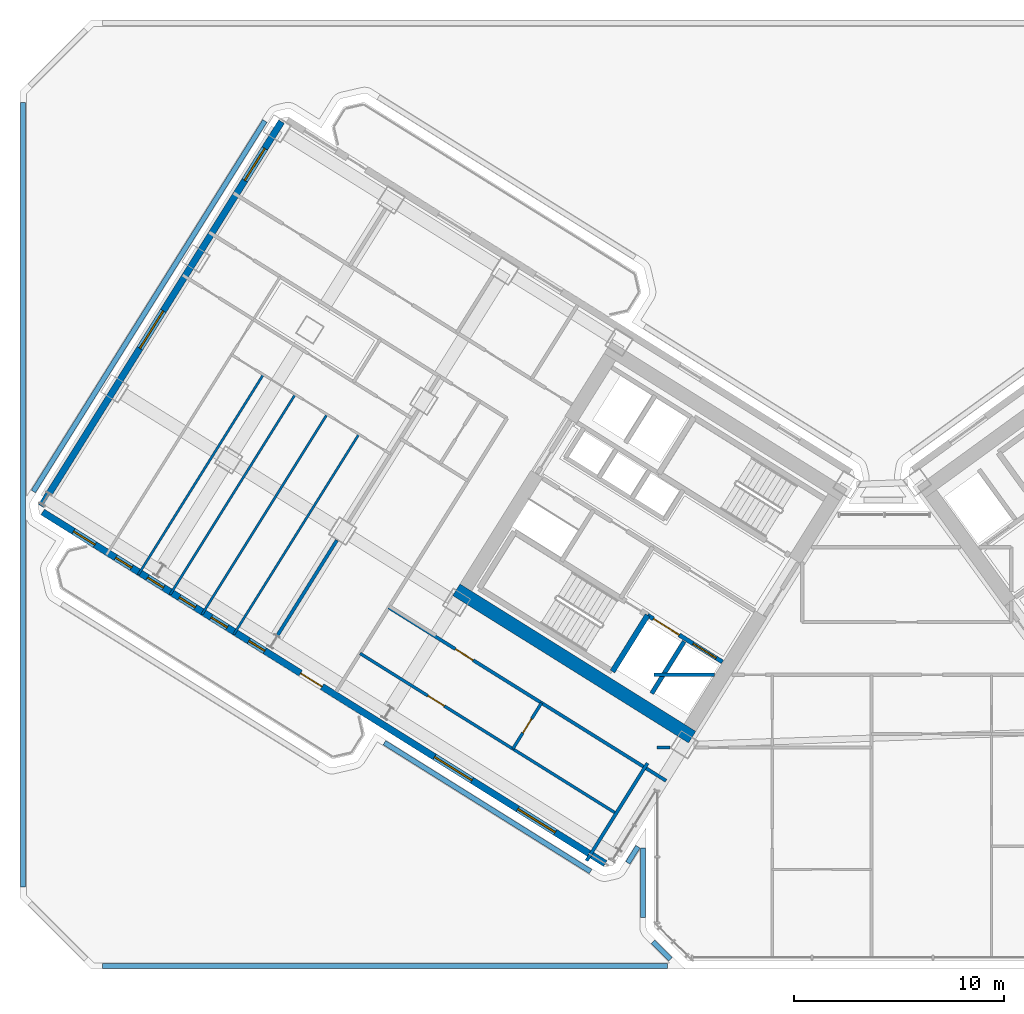
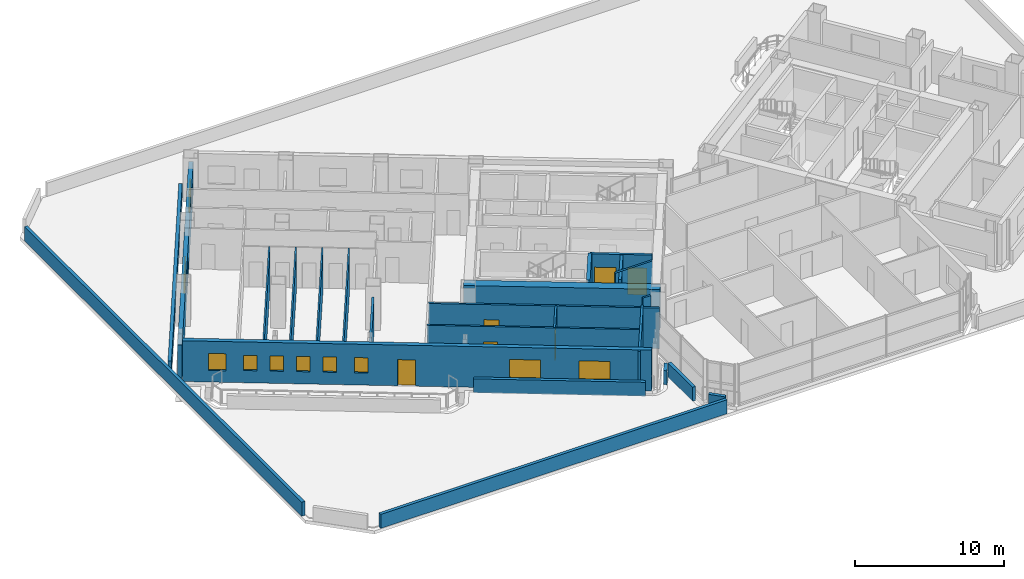
# One storey, part 15 of 28: 24 walls, 10 windows, 6 doors, 16 openings.
"""IFC4 building model written with IfcOpenShell, lengths in metres."""

import ifcopenshell
import ifcopenshell.guid

model = None  # the IFC model being written
_history = None  # IfcOwnerHistory: only IFC2X3 demands one
_inside = {}  # id of a spatial element -> (the spatial element, [elements in it])
_under = {}  # id of a project, library or spatial element -> (it, [spatial elements below it])
_declared = {}  # id of a project -> (the project, [libraries it declares])
_typed = {}  # id of a type object -> (the type object, [elements of that type])
_made_of = {}  # id of a material, layer set ... -> (it, [elements and type objects made of it])


def new_model(schema):
    """Start an empty IFC model of exactly this schema.

    Asked for "IFC4X3", IfcOpenShell would pick the latest addendum, in which some entities
    have other attributes; the version numbers below select the first issue.
    IFC2X3 requires an IfcOwnerHistory on every rooted entity: one is made here for all.
    """
    global model, _history
    if schema == "IFC4X3":
        model = ifcopenshell.file(schema_version=(4, 3, 0, 0))
    else:
        model = ifcopenshell.file(schema=schema)
    _inside.clear()
    _under.clear()
    _declared.clear()
    _typed.clear()
    _made_of.clear()
    _history = None
    if model.schema == "IFC2X3":
        org = make("IfcOrganization", Name="unknown")
        user = make(
            "IfcPersonAndOrganization",
            ThePerson=make("IfcPerson", FamilyName="unknown"),
            TheOrganization=org,
        )
        app = make(
            "IfcApplication",
            ApplicationDeveloper=org,
            Version="unknown",
            ApplicationFullName="unknown",
            ApplicationIdentifier="unknown",
        )
        _history = make(
            "IfcOwnerHistory",
            OwningUser=user,
            OwningApplication=app,
            ChangeAction="ADDED",
            CreationDate=0,
        )
    return model


def make(cls, **values):
    """One entity of the class cls with the attributes given. An attribute that is None is left unset."""
    return model.create_entity(
        cls, **{name: value for name, value in values.items() if value is not None}
    )


def rooted(cls, **values):
    """An entity with a GlobalId (a new one), such as an element, a storey or a relation."""
    return make(cls, GlobalId=ifcopenshell.guid.new(), OwnerHistory=_history, **values)


def si_unit(unit_type, name, prefix=None):
    """IfcSIUnit, for example si_unit("LENGTHUNIT", "METRE", prefix="MILLI")."""
    return make("IfcSIUnit", UnitType=unit_type, Prefix=prefix, Name=name)


def assignment(units):
    """IfcUnitAssignment: the units of a project."""
    return None if units is None else make("IfcUnitAssignment", Units=units)


def point(xyz):
    """IfcCartesianPoint."""
    return None if xyz is None else make("IfcCartesianPoint", Coordinates=xyz)


def direction(xyz):
    """IfcDirection."""
    return None if xyz is None else make("IfcDirection", DirectionRatios=xyz)


def frame(location, z_axis=None, x_axis=None):
    """IfcAxis2Placement3D, a coordinate frame: its origin and axes. An axis left out is left unset."""
    return make(
        "IfcAxis2Placement3D",
        Location=point(location),
        Axis=direction(z_axis),
        RefDirection=direction(x_axis),
    )


def frame_2d(location, x_axis=None):
    """IfcAxis2Placement2D, a coordinate frame in the plane: its origin and x axis."""
    return make(
        "IfcAxis2Placement2D", Location=point(location), RefDirection=direction(x_axis)
    )


def origin():
    """The frame at (0, 0, 0) with its axes left unset."""
    return frame((0.0, 0.0, 0.0))


def place(relative_to, where):
    """IfcLocalPlacement: puts the frame where relative to a parent placement (None: the world)."""
    return make(
        "IfcLocalPlacement", PlacementRelTo=relative_to, RelativePlacement=where
    )


def context(
    kind, dimensions, precision=None, world=None, true_north=None, identifier=None
):
    """IfcGeometricRepresentationContext, for example the 3D "Model" context."""
    return make(
        "IfcGeometricRepresentationContext",
        ContextIdentifier=identifier,
        ContextType=kind,
        CoordinateSpaceDimension=dimensions,
        Precision=precision,
        WorldCoordinateSystem=world,
        TrueNorth=true_north,
    )


def subcontext(parent, identifier, kind, view, scale=None):
    """IfcGeometricRepresentationSubContext, for example "Body" below "Model"."""
    return make(
        "IfcGeometricRepresentationSubContext",
        ContextIdentifier=identifier,
        ContextType=kind,
        ParentContext=parent,
        TargetScale=scale,
        TargetView=view,
    )


def project(units=None, contexts=None):
    """IfcProject with its units and contexts."""
    return rooted(
        "IfcProject",
        Name="project",
        RepresentationContexts=contexts,
        UnitsInContext=assignment(units),
    )


def spatial(cls, under=None, at=None, **own):
    """A site, building, storey or space (cls), placed at a placement, below another one or the project."""
    s = rooted(cls, ObjectPlacement=at, **own)
    if under is not None:
        _under.setdefault(under.id(), (under, []))[1].append(s)
    return s


def profile(cls, at=None, kind="AREA", **sizes):
    """A parametric profile (cls). Its sizes go by their IFC names, for example OverallWidth=200.0."""
    return make(cls, ProfileType=kind, Position=at, **sizes)


def rectangle(**sizes):
    """IfcRectangleProfileDef."""
    return profile("IfcRectangleProfileDef", **sizes)


def extrude(swept, where, along, depth):
    """IfcExtrudedAreaSolid: the profile swept, set in the frame where, extruded along a direction by depth."""
    return make(
        "IfcExtrudedAreaSolid",
        SweptArea=swept,
        Position=where,
        ExtrudedDirection=direction(along),
        Depth=depth,
    )


def shape(context_of_items, identifier, shape_type, items):
    """IfcShapeRepresentation: the items that make up one representation, for example the "Body"."""
    return make(
        "IfcShapeRepresentation",
        ContextOfItems=context_of_items,
        RepresentationIdentifier=identifier,
        RepresentationType=shape_type,
        Items=items,
    )


def source(mapping_origin, context_of_items, identifier, shape_type, items):
    """IfcRepresentationMap: a shape defined once, which mapped items show again and again."""
    return make(
        "IfcRepresentationMap",
        MappingOrigin=mapping_origin,
        MappedRepresentation=shape(context_of_items, identifier, shape_type, items),
    )


def transform(
    local_origin,
    x_axis=None,
    y_axis=None,
    z_axis=None,
    scale=None,
    scale2=None,
    scale3=None,
    uniform=True,
):
    """IfcCartesianTransformationOperator3D, or its non-uniform kind. x_axis, y_axis, z_axis: its Axis1, 2, 3."""
    if uniform:
        return make(
            "IfcCartesianTransformationOperator3D",
            Axis1=direction(x_axis),
            Axis2=direction(y_axis),
            LocalOrigin=point(local_origin),
            Scale=scale,
            Axis3=direction(z_axis),
        )
    return make(
        "IfcCartesianTransformationOperator3DnonUniform",
        Axis1=direction(x_axis),
        Axis2=direction(y_axis),
        LocalOrigin=point(local_origin),
        Scale=scale,
        Axis3=direction(z_axis),
        Scale2=scale2,
        Scale3=scale3,
    )


def mapped(mapping_source, mapping_target):
    """IfcMappedItem: shows the shape of a source again, moved by a transform."""
    return make(
        "IfcMappedItem", MappingSource=mapping_source, MappingTarget=mapping_target
    )


def material(Name=None, Category=None):
    """IfcMaterial."""
    return make("IfcMaterial", Name=Name, Category=Category)


def layer(
    of_material, thickness, ventilated=None, Name=None, Category=None, Priority=None
):
    """IfcMaterialLayer: one layer of a wall or slab, of a material (None: an air gap)."""
    return make(
        "IfcMaterialLayer",
        Material=of_material,
        LayerThickness=thickness,
        IsVentilated=ventilated,
        Name=Name,
        Category=Category,
        Priority=Priority,
    )


def layer_set(layers, Name=None):
    """IfcMaterialLayerSet."""
    return make("IfcMaterialLayerSet", MaterialLayers=layers, LayerSetName=Name)


def made_of(thing, what):
    """Note that an element or type object is made of a material, layer set ...; save() writes the relation."""
    if what is not None:
        _made_of.setdefault(what.id(), (what, []))[1].append(thing)
    return thing


def type_object(cls, material=None, **own):
    """A type object (cls), such as IfcWallType, which elements share."""
    return made_of(rooted(cls, **own), material)


def element(
    cls,
    number,
    at=None,
    inside=None,
    cuts=None,
    type_object=None,
    material=None,
    context=None,
    identifier="Body",
    shape_type=None,
    held_by="IfcProductDefinitionShape",
    body=None,
    shapes=None,
    **own,
):
    """One element of the class cls, such as IfcWall. Its Tag is "e" and its number.

    at: its placement. inside: the storey or other place that contains it. cuts: it is an
    opening in that element (IfcRelVoidsElement). A single representation is given by context,
    identifier, shape_type and body (its items); several are given by shapes. held_by: the class
    of the entity that holds the representations. save() writes the other relations.
    """
    e = rooted(cls, Tag="e%d" % number, ObjectPlacement=at, **own)
    if body is not None:
        shapes = [shape(context, identifier, shape_type, body)]
    if shapes is not None:
        e.Representation = make(held_by, Representations=shapes)
    if inside is not None:
        _inside.setdefault(inside.id(), (inside, []))[1].append(e)
    if cuts is not None:
        rooted(
            "IfcRelVoidsElement", RelatingBuildingElement=cuts, RelatedOpeningElement=e
        )
    if type_object is not None:
        _typed.setdefault(type_object.id(), (type_object, []))[1].append(e)
    return made_of(e, material)


def fill(opening, filler):
    """IfcRelFillsElement: the door or window that sits in an opening."""
    return rooted(
        "IfcRelFillsElement",
        RelatingOpeningElement=opening,
        RelatedBuildingElement=filler,
    )


def aggregate(whole, parts):
    """IfcRelAggregates: a whole, such as a stair, and the parts it consists of."""
    return rooted("IfcRelAggregates", RelatingObject=whole, RelatedObjects=parts)


def save(model, path):
    """Write the relations noted so far, then the file.

    IfcRelAggregates (storeys below a building ...), IfcRelContainedInSpatialStructure (elements
    in a storey), IfcRelDefinesByType, IfcRelAssociatesMaterial and IfcRelDeclares: one each for
    every whole, place, type object, material and project.
    """
    for whole, parts in _under.values():
        aggregate(whole, parts)
    for where, things in _inside.values():
        rooted(
            "IfcRelContainedInSpatialStructure",
            RelatedElements=things,
            RelatingStructure=where,
        )
    for kind, things in _typed.values():
        rooted("IfcRelDefinesByType", RelatedObjects=things, RelatingType=kind)
    for what, things in _made_of.values():
        rooted("IfcRelAssociatesMaterial", RelatedObjects=things, RelatingMaterial=what)
    for by, libraries in _declared.values():
        rooted("IfcRelDeclares", RelatingContext=by, RelatedDefinitions=libraries)
    model.write(path)


model = new_model("IFC4")

# Units and contexts
model_context = context("Model", 3, precision=1e-05, world=origin(), true_north=direction((0.0, 1.0)))
body_context = subcontext(model_context, "Body", "Model", "MODEL_VIEW")
ifc_project = project(units=[si_unit("LENGTHUNIT", "METRE"), si_unit("AREAUNIT", "SQUARE_METRE"), si_unit("VOLUMEUNIT", "CUBIC_METRE"), si_unit("PLANEANGLEUNIT", "RADIAN"), si_unit("MASSUNIT", "GRAM", prefix="KILO")], contexts=[model_context])

# Site, building, storey
site_placement = place(None, origin())
site = spatial("IfcSite", under=ifc_project, at=site_placement, CompositionType="ELEMENT")
building_placement = place(site_placement, origin())
building = spatial("IfcBuilding", under=site, at=building_placement, Name="Tlacorven Tower", CompositionType="ELEMENT")
storey_placement = place(building_placement, frame((0.0, 0.0, 24.0)))
storey = spatial("IfcBuildingStorey", under=building, at=storey_placement, Name="L05", CompositionType="ELEMENT", Elevation=24.0)

# Walls
ifc_material_1 = material(Name="Concrete C60/75", Category="concrete")
ifc_layer_1 = layer(ifc_material_1, 0.64990234375)
ifc_layer_set_1 = layer_set([ifc_layer_1], Name="Concrete C60/75")
wall_type_1 = type_object("IfcWallType", Name="WL-COR-650", PredefinedType="SHEAR", material=ifc_layer_set_1)
wall_1_placement = place(storey_placement, frame((33.40869140625, 12.449951171875, 0.0), z_axis=(0.0, 0.0, 1.0), x_axis=(-0.848051132073, 0.529914405721, 0.0)))
element("IfcWall", 1, at=wall_1_placement, inside=storey, type_object=wall_type_1, Name="L05 W core shear wall S2", PredefinedType="SHEAR", context=body_context, shape_type="SweptSolid", body=[
    extrude(rectangle(XDim=13.239990234375, YDim=0.64990234375, at=frame_2d((6.6201171875, 0.0))), origin(), (0.0, 0.0, 1.0), 3.35009765625),
])
ifc_material_2 = material(Name="Gypsum plasterboard acoustic partition", Category="gypsum")
ifc_layer_2 = layer(ifc_material_2, 0.159912109375)
ifc_layer_set_2 = layer_set([ifc_layer_2], Name="Gypsum plasterboard acoustic partition")
wall_type_2 = type_object("IfcWallType", Name="WL-DEM-160", PredefinedType="PARTITIONING", material=ifc_layer_set_2)
wall_2_placement = place(storey_placement, frame((16.4921875, 21.8271484375, 0.0), z_axis=(0.0, 0.0, 1.0), x_axis=(-0.529904608059, -0.848057254175, 0.0)))
element("IfcWall", 2, at=wall_2_placement, inside=storey, type_object=wall_type_2, Name="L05 WN Demising Wall 1", PredefinedType="PARTITIONING", context=body_context, shape_type="SweptSolid", body=[
    extrude(rectangle(XDim=5.350830078125, YDim=0.159912109375, at=frame_2d((2.67529296875, 0.0))), origin(), (0.0, 0.0, 1.0), 2.72509765625),
])

# Wall, opening, door
wall_3_placement = place(storey_placement, frame((32.164306640625, 10.373779296875, 0.0), z_axis=(0.0, 0.0, 1.0), x_axis=(-0.848044107957, 0.529925646633, 0.0)))
wall_3 = element("IfcWall", 3, at=wall_3_placement, inside=storey, type_object=wall_type_2, Name="L05 partition 69", PredefinedType="PARTITIONING", context=body_context, shape_type="SweptSolid", body=[
    extrude(rectangle(XDim=15.570068359375, YDim=0.159912109375, at=frame_2d((7.78515625, 0.0))), origin(), (0.0, 0.0, 1.0), 3.340087890625),
])
opening_1_placement = place(wall_3_placement, frame((10.830078125, 0.0, 0.0)))
opening_1 = element("IfcOpeningElement", 4, at=opening_1_placement, cuts=wall_3, Name="Opening D11", PredefinedType="OPENING", context=body_context, shape_type="SweptSolid", body=[
    extrude(rectangle(XDim=1.0, YDim=2.10009765625, at=frame_2d((0.5, 1.050048828125))), frame((0.0, 0.08984375, 0.0), z_axis=(0.0, -1.0, 0.0), x_axis=(1.0, 0.0, 0.0)), (0.0, 0.0, 1.0), 0.179931640625),
])
ifc_material_3 = material(Name="Fire-rated steel door assembly", Category="steel")
door_type_1 = type_object("IfcDoorType", Name="DR-FLT-FD60-1000", OperationType="NOTDEFINED", PredefinedType="DOOR", material=ifc_material_3)
shared_shape_1 = source(origin(), body_context, "Body", "SweptSolid", [
    extrude(rectangle(XDim=1.0, YDim=2.10009765625, at=frame_2d((0.5, 1.050048828125))), frame((0.0, 0.02490234375, 0.0), z_axis=(0.0, -1.0, 0.0), x_axis=(1.0, 0.0, 0.0)), (0.0, 0.0, 1.0), 0.050048828125),
])
door_1_placement = place(opening_1_placement, origin())
door_1 = element("IfcDoor", 5, at=door_1_placement, inside=storey, type_object=door_type_1, Name="L05 door 038", OperationType="SINGLE_SWING_LEFT", OverallHeight=2.10009765625, OverallWidth=1.0, PredefinedType="DOOR", context=body_context, shape_type="MappedRepresentation", body=[
    mapped(shared_shape_1, transform((0.0, 0.0, 0.0), scale=1.0)),
])
fill(opening_1, door_1)

# Walls
wall_4_placement = place(storey_placement, frame((31.282470703125, 11.2080078125, 0.0), z_axis=(0.0, 0.0, 1.0), x_axis=(-0.529938869374, -0.84803584519, 0.0)))
element("IfcWall", 6, at=wall_4_placement, inside=storey, type_object=wall_type_2, Name="L05 WC West Throat Wall", PredefinedType="PARTITIONING", context=body_context, shape_type="SweptSolid", body=[
    extrude(rectangle(XDim=5.47998046875, YDim=0.159912109375, at=frame_2d((2.739990234375, 0.0))), origin(), (0.0, 0.0, 1.0), 3.340087890625),
])
wall_5_placement = place(storey_placement, frame((31.60009765625, 15.419921875, 0.0), z_axis=(0.0, 0.0, 1.0), x_axis=(1.0, 0.0, 0.0)))
element("IfcWall", 7, at=wall_5_placement, inside=storey, type_object=wall_type_2, Name="L05 Knuckle Corridor South Wall", PredefinedType="PARTITIONING", context=body_context, shape_type="SweptSolid", body=[
    extrude(rectangle(XDim=2.8662109375, YDim=0.159912109375, at=frame_2d((1.43310546875, 0.0))), origin(), (0.0, 0.0, 1.0), 3.340087890625),
])

# Wall, openings, door, windows
ifc_material_4 = material(Name="Precast concrete C45/55", Category="concrete")
ifc_layer_3 = layer(ifc_material_4, 0.320068359375)
ifc_layer_set_3 = layer_set([ifc_layer_3], Name="Precast concrete C45/55")
wall_type_3 = type_object("IfcWallType", Name="WL-EXT-320", PredefinedType="STANDARD", material=ifc_layer_set_3)
wall_6_placement = place(storey_placement, frame((29.267822265625, 6.429443359375, 0.0), z_axis=(0.0, 0.0, 1.0), x_axis=(-0.848049971435, 0.529916263149, 0.0)))
wall_6 = element("IfcWall", 8, at=wall_6_placement, inside=storey, type_object=wall_type_3, Name="L05 Masonry-Frame Recessed Facade Wall 1", PredefinedType="STANDARD", context=body_context, shape_type="SweptSolid", body=[
    extrude(rectangle(XDim=31.587646484375, YDim=0.320068359375, at=frame_2d((15.7939453125, 0.0))), origin(), (0.0, 0.0, 1.0), 3.35009765625),
])
opening_2_placement = place(wall_6_placement, frame((15.901123046875, 0.0, 0.0)))
opening_2 = element("IfcOpeningElement", 9, at=opening_2_placement, cuts=wall_6, Name="Opening D05", PredefinedType="OPENING", context=body_context, shape_type="SweptSolid", body=[
    extrude(rectangle(XDim=1.199951171875, YDim=2.14990234375, at=frame_2d((0.60009765625, 1.074951171875))), frame((0.0, 0.169921875, 0.0), z_axis=(0.0, -1.0, 0.0), x_axis=(1.0, 0.0, 0.0)), (0.0, 0.0, 1.0), 0.340087890625),
])
opening_3_placement = place(wall_6_placement, frame((2.80615234375, 0.0, 0.800048828125)))
opening_3 = element("IfcOpeningElement", 10, at=opening_3_placement, cuts=wall_6, Name="Opening WN04", PredefinedType="OPENING", context=body_context, shape_type="SweptSolid", body=[
    extrude(rectangle(XDim=2.10009765625, YDim=1.550048828125, at=frame_2d((1.050048828125, 0.77490234375))), frame((0.0, 0.169921875, 0.0), z_axis=(0.0, -1.0, 0.0), x_axis=(1.0, 0.0, 0.0)), (0.0, 0.0, 1.0), 0.340087890625),
])
opening_4_placement = place(wall_6_placement, frame((7.481201171875, 0.0, 0.800048828125)))
opening_4 = element("IfcOpeningElement", 11, at=opening_4_placement, cuts=wall_6, Name="Opening WN04", PredefinedType="OPENING", context=body_context, shape_type="SweptSolid", body=[
    extrude(rectangle(XDim=2.10009765625, YDim=1.550048828125, at=frame_2d((1.050048828125, 0.77490234375))), frame((0.0, 0.169921875, 0.0), z_axis=(0.0, -1.0, 0.0), x_axis=(1.0, 0.0, 0.0)), (0.0, 0.0, 1.0), 0.340087890625),
])
opening_5_placement = place(wall_6_placement, frame((28.65380859375, 0.0, 0.949951171875)))
opening_5 = element("IfcOpeningElement", 12, at=opening_5_placement, cuts=wall_6, Name="Opening WN03", PredefinedType="OPENING", context=body_context, shape_type="SweptSolid", body=[
    extrude(rectangle(XDim=1.199951171875, YDim=1.39990234375, at=frame_2d((0.60009765625, 0.699951171875))), frame((0.0, 0.169921875, 0.0), z_axis=(0.0, -1.0, 0.0), x_axis=(1.0, 0.0, 0.0)), (0.0, 0.0, 1.0), 0.340087890625),
])
opening_6_placement = place(wall_6_placement, frame((19.110107421875, 0.0, 1.0)))
opening_6 = element("IfcOpeningElement", 13, at=opening_6_placement, cuts=wall_6, Name="Opening WN05", PredefinedType="OPENING", context=body_context, shape_type="SweptSolid", body=[
    extrude(rectangle(XDim=0.89990234375, YDim=1.25, at=frame_2d((0.449951171875, 0.625))), frame((0.0, 0.169921875, 0.0), z_axis=(0.0, -1.0, 0.0), x_axis=(1.0, 0.0, 0.0)), (0.0, 0.0, 1.0), 0.340087890625),
])
opening_7_placement = place(wall_6_placement, frame((21.2255859375, 0.0, 1.0)))
opening_7 = element("IfcOpeningElement", 14, at=opening_7_placement, cuts=wall_6, Name="Opening WN05", PredefinedType="OPENING", context=body_context, shape_type="SweptSolid", body=[
    extrude(rectangle(XDim=0.89990234375, YDim=1.25, at=frame_2d((0.449951171875, 0.625))), frame((0.0, 0.169921875, 0.0), z_axis=(0.0, -1.0, 0.0), x_axis=(1.0, 0.0, 0.0)), (0.0, 0.0, 1.0), 0.340087890625),
])
opening_8_placement = place(wall_6_placement, frame((23.013671875, 0.0, 1.0)))
opening_8 = element("IfcOpeningElement", 15, at=opening_8_placement, cuts=wall_6, Name="Opening WN05", PredefinedType="OPENING", context=body_context, shape_type="SweptSolid", body=[
    extrude(rectangle(XDim=0.89990234375, YDim=1.25, at=frame_2d((0.449951171875, 0.625))), frame((0.0, 0.169921875, 0.0), z_axis=(0.0, -1.0, 0.0), x_axis=(1.0, 0.0, 0.0)), (0.0, 0.0, 1.0), 0.340087890625),
])
opening_9_placement = place(wall_6_placement, frame((24.8017578125, 0.0, 1.0)))
opening_9 = element("IfcOpeningElement", 16, at=opening_9_placement, cuts=wall_6, Name="Opening WN05", PredefinedType="OPENING", context=body_context, shape_type="SweptSolid", body=[
    extrude(rectangle(XDim=0.89990234375, YDim=1.25, at=frame_2d((0.449951171875, 0.625))), frame((0.0, 0.169921875, 0.0), z_axis=(0.0, -1.0, 0.0), x_axis=(1.0, 0.0, 0.0)), (0.0, 0.0, 1.0), 0.340087890625),
])
opening_10_placement = place(wall_6_placement, frame((26.589599609375, 0.0, 1.0)))
opening_10 = element("IfcOpeningElement", 17, at=opening_10_placement, cuts=wall_6, Name="Opening WN05", PredefinedType="OPENING", context=body_context, shape_type="SweptSolid", body=[
    extrude(rectangle(XDim=0.89990234375, YDim=1.25, at=frame_2d((0.449951171875, 0.625))), frame((0.0, 0.169921875, 0.0), z_axis=(0.0, -1.0, 0.0), x_axis=(1.0, 0.0, 0.0)), (0.0, 0.0, 1.0), 0.340087890625),
])
ifc_material_5 = material(Name="Powder-coated aluminium and timber door", Category="wood")
door_type_2 = type_object("IfcDoorType", Name="DR-EXT-BALC-1200", OperationType="NOTDEFINED", PredefinedType="DOOR", material=ifc_material_5)
shared_shape_2 = source(origin(), body_context, "Body", "SweptSolid", [
    extrude(rectangle(XDim=1.199951171875, YDim=2.14990234375, at=frame_2d((0.60009765625, 1.074951171875))), frame((0.0, 0.02490234375, 0.0), z_axis=(0.0, -1.0, 0.0), x_axis=(1.0, 0.0, 0.0)), (0.0, 0.0, 1.0), 0.050048828125),
])
door_2_placement = place(opening_2_placement, origin())
door_2 = element("IfcDoor", 18, at=door_2_placement, inside=storey, type_object=door_type_2, Name="L05 Outdoor Access Door BAL-L05-W-OUT", OperationType="SINGLE_SWING_LEFT", OverallHeight=2.14990234375, OverallWidth=1.199951171875, PredefinedType="DOOR", context=body_context, shape_type="MappedRepresentation", body=[
    mapped(shared_shape_2, transform((0.0, 0.0, 0.0), scale=1.0)),
])
fill(opening_2, door_2)
ifc_material_6 = material(Name="Dark solar low-E double glazing in anodised aluminium frame", Category="aluminium")
window_type_1 = type_object("IfcWindowType", Name="WN-APT-2100X1750", PartitioningType="SINGLE_PANEL", PredefinedType="WINDOW", material=ifc_material_6)
shared_shape_3 = source(origin(), body_context, "Body", "SweptSolid", [
    extrude(rectangle(XDim=2.10009765625, YDim=1.550048828125, at=frame_2d((1.050048828125, 0.77490234375))), frame((0.0, 0.030029296875, 0.0), z_axis=(0.0, -1.0, 0.0), x_axis=(1.0, 0.0, 0.0)), (0.0, 0.0, 1.0), 0.06005859375),
])
window_1_placement = place(opening_3_placement, origin())
window_1 = element("IfcWindow", 19, at=window_1_placement, inside=storey, type_object=window_type_1, Name="L05 Recessed Masonry-Frame Window L05-01.1", OverallHeight=1.550048828125, OverallWidth=2.10009765625, PartitioningType="SINGLE_PANEL", PredefinedType="WINDOW", context=body_context, shape_type="MappedRepresentation", body=[
    mapped(shared_shape_3, transform((0.0, 0.0, 0.0), scale=1.0)),
])
fill(opening_3, window_1)
window_2_placement = place(opening_4_placement, origin())
window_2 = element("IfcWindow", 20, at=window_2_placement, inside=storey, type_object=window_type_1, Name="L05 Recessed Masonry-Frame Window L05-01.2", OverallHeight=1.550048828125, OverallWidth=2.10009765625, PartitioningType="SINGLE_PANEL", PredefinedType="WINDOW", context=body_context, shape_type="MappedRepresentation", body=[
    mapped(shared_shape_3, transform((0.0, 0.0, 0.0), scale=1.0)),
])
fill(opening_4, window_2)
window_type_2 = type_object("IfcWindowType", Name="WN-APT-1200X1500", PartitioningType="SINGLE_PANEL", PredefinedType="WINDOW", material=ifc_material_6)
shared_shape_4 = source(origin(), body_context, "Body", "SweptSolid", [
    extrude(rectangle(XDim=1.199951171875, YDim=1.39990234375, at=frame_2d((0.60009765625, 0.699951171875))), frame((0.0, 0.030029296875, 0.0), z_axis=(0.0, -1.0, 0.0), x_axis=(1.0, 0.0, 0.0)), (0.0, 0.0, 1.0), 0.06005859375),
])
window_3_placement = place(opening_5_placement, origin())
window_3 = element("IfcWindow", 21, at=window_3_placement, inside=storey, type_object=window_type_2, Name="L05 Recessed Masonry-Frame Window L05-01.3", OverallHeight=1.39990234375, OverallWidth=1.199951171875, PartitioningType="SINGLE_PANEL", PredefinedType="WINDOW", context=body_context, shape_type="MappedRepresentation", body=[
    mapped(shared_shape_4, transform((0.0, 0.0, 0.0), scale=1.0)),
])
fill(opening_5, window_3)
window_type_3 = type_object("IfcWindowType", Name="WN-APT-0900X1350", PartitioningType="SINGLE_PANEL", PredefinedType="WINDOW", material=ifc_material_6)
shared_shape_5 = source(origin(), body_context, "Body", "SweptSolid", [
    extrude(rectangle(XDim=0.89990234375, YDim=1.25, at=frame_2d((0.449951171875, 0.625))), frame((0.0, 0.030029296875, 0.0), z_axis=(0.0, -1.0, 0.0), x_axis=(1.0, 0.0, 0.0)), (0.0, 0.0, 1.0), 0.06005859375),
])
window_4_placement = place(opening_6_placement, origin())
window_4 = element("IfcWindow", 22, at=window_4_placement, inside=storey, type_object=window_type_3, Name="L05 Dwelling Daylight Window L05-U02-BD1", OverallHeight=1.25, OverallWidth=0.89990234375, PartitioningType="SINGLE_PANEL", PredefinedType="WINDOW", context=body_context, shape_type="MappedRepresentation", body=[
    mapped(shared_shape_5, transform((0.0, 0.0, 0.0), scale=1.0)),
])
fill(opening_6, window_4)
window_5_placement = place(opening_7_placement, origin())
window_5 = element("IfcWindow", 23, at=window_5_placement, inside=storey, type_object=window_type_3, Name="L05 Dwelling Daylight Window L05-U02-BD2", OverallHeight=1.25, OverallWidth=0.89990234375, PartitioningType="SINGLE_PANEL", PredefinedType="WINDOW", context=body_context, shape_type="MappedRepresentation", body=[
    mapped(shared_shape_5, transform((0.0, 0.0, 0.0), scale=1.0)),
])
fill(opening_7, window_5)
window_6_placement = place(opening_8_placement, origin())
window_6 = element("IfcWindow", 24, at=window_6_placement, inside=storey, type_object=window_type_3, Name="L05 Dwelling Daylight Window L05-U02-BD3", OverallHeight=1.25, OverallWidth=0.89990234375, PartitioningType="SINGLE_PANEL", PredefinedType="WINDOW", context=body_context, shape_type="MappedRepresentation", body=[
    mapped(shared_shape_5, transform((0.0, 0.0, 0.0), scale=1.0)),
])
fill(opening_8, window_6)
window_7_placement = place(opening_9_placement, origin())
window_7 = element("IfcWindow", 25, at=window_7_placement, inside=storey, type_object=window_type_3, Name="L05 Dwelling Daylight Window L05-U02-BD4", OverallHeight=1.25, OverallWidth=0.89990234375, PartitioningType="SINGLE_PANEL", PredefinedType="WINDOW", context=body_context, shape_type="MappedRepresentation", body=[
    mapped(shared_shape_5, transform((0.0, 0.0, 0.0), scale=1.0)),
])
fill(opening_9, window_7)
window_8_placement = place(opening_10_placement, origin())
window_8 = element("IfcWindow", 26, at=window_8_placement, inside=storey, type_object=window_type_3, Name="L05 Dwelling Daylight Window L05-U02-BD5", OverallHeight=1.25, OverallWidth=0.89990234375, PartitioningType="SINGLE_PANEL", PredefinedType="WINDOW", context=body_context, shape_type="MappedRepresentation", body=[
    mapped(shared_shape_5, transform((0.0, 0.0, 0.0), scale=1.0)),
])
fill(opening_10, window_8)

# Wall, openings, windows
wall_7_placement = place(storey_placement, frame((2.41455078125, 23.452392578125, 0.0), z_axis=(0.0, 0.0, 1.0), x_axis=(0.52991049553, 0.848053575387, 0.0)))
wall_7 = element("IfcWall", 27, at=wall_7_placement, inside=storey, type_object=wall_type_3, Name="L05 Masonry-Frame Recessed Facade Wall 2", PredefinedType="STANDARD", context=body_context, shape_type="SweptSolid", body=[
    extrude(rectangle(XDim=21.58740234375, YDim=0.320068359375, at=frame_2d((10.793701171875, 0.0))), origin(), (0.0, 0.0, 1.0), 2.72509765625),
])
opening_11_placement = place(wall_7_placement, frame((8.858642578125, 0.0, 0.800048828125)))
opening_11 = element("IfcOpeningElement", 28, at=opening_11_placement, cuts=wall_7, Name="Opening WN04", PredefinedType="OPENING", context=body_context, shape_type="SweptSolid", body=[
    extrude(rectangle(XDim=2.10009765625, YDim=1.550048828125, at=frame_2d((1.050048828125, 0.77490234375))), frame((0.0, 0.169921875, 0.0), z_axis=(0.0, -1.0, 0.0), x_axis=(1.0, 0.0, 0.0)), (0.0, 0.0, 1.0), 0.340087890625),
])
opening_12_placement = place(wall_7_placement, frame((18.28369140625, 0.0, 0.85009765625)))
opening_12 = element("IfcOpeningElement", 29, at=opening_12_placement, cuts=wall_7, Name="Opening WN01", PredefinedType="OPENING", context=body_context, shape_type="SweptSolid", body=[
    extrude(rectangle(XDim=1.800048828125, YDim=1.5, at=frame_2d((0.89990234375, 0.75))), frame((0.0, 0.169921875, 0.0), z_axis=(0.0, -1.0, 0.0), x_axis=(1.0, 0.0, 0.0)), (0.0, 0.0, 1.0), 0.340087890625),
])
window_9_placement = place(opening_11_placement, origin())
window_9 = element("IfcWindow", 30, at=window_9_placement, inside=storey, type_object=window_type_1, Name="L05 Recessed Masonry-Frame Window L05-02.1", OverallHeight=1.550048828125, OverallWidth=2.10009765625, PartitioningType="SINGLE_PANEL", PredefinedType="WINDOW", context=body_context, shape_type="MappedRepresentation", body=[
    mapped(shared_shape_3, transform((0.0, 0.0, 0.0), scale=1.0)),
])
fill(opening_11, window_9)
window_type_4 = type_object("IfcWindowType", Name="WN-APT-1800X1650", PartitioningType="SINGLE_PANEL", PredefinedType="WINDOW", material=ifc_material_6)
shared_shape_6 = source(origin(), body_context, "Body", "SweptSolid", [
    extrude(rectangle(XDim=1.800048828125, YDim=1.5, at=frame_2d((0.89990234375, 0.75))), frame((0.0, 0.030029296875, 0.0), z_axis=(0.0, -1.0, 0.0), x_axis=(1.0, 0.0, 0.0)), (0.0, 0.0, 1.0), 0.06005859375),
])
window_10_placement = place(opening_12_placement, origin())
window_10 = element("IfcWindow", 31, at=window_10_placement, inside=storey, type_object=window_type_4, Name="L05 Recessed Masonry-Frame Window L05-02.2", OverallHeight=1.5, OverallWidth=1.800048828125, PartitioningType="SINGLE_PANEL", PredefinedType="WINDOW", context=body_context, shape_type="MappedRepresentation", body=[
    mapped(shared_shape_6, transform((0.0, 0.0, 0.0), scale=1.0)),
])
fill(opening_12, window_10)

# Walls
ifc_material_7 = material(Name="Gypsum plasterboard partition", Category="gypsum")
ifc_layer_4 = layer(ifc_material_7, 0.110107421875)
ifc_layer_set_4 = layer_set([ifc_layer_4], Name="Gypsum plasterboard partition")
wall_type_4 = type_object("IfcWallType", Name="WL-INT-110", PredefinedType="PARTITIONING", material=ifc_layer_set_4)
for number, where, z_axis, x_axis, name in (
    (32, (17.53662109375, 26.872314453125, 0.0), (0.0, 0.0, 1.0), (-0.529922792977, -0.848045891142, 0.0), "L05 partition 63"),
    (33, (16.020263671875, 27.81982421875, 0.0), (0.0, 0.0, 1.0), (-0.529922792977, -0.848045891142, 0.0), "L05 partition 64"),
    (34, (14.50390625, 28.767333984375, 0.0), (0.0, 0.0, 1.0), (-0.529922792977, -0.848045891142, 0.0), "L05 partition 65"),
    (35, (12.987548828125, 29.71484375, 0.0), (0.0, 0.0, 1.0), (-0.529922792977, -0.848045891142, 0.0), "L05 partition 66"),
):
    element("IfcWall", number, at=place(storey_placement, frame(where, z_axis=z_axis, x_axis=x_axis)), inside=storey, type_object=wall_type_4, Name=name, PredefinedType="PARTITIONING", context=body_context, shape_type="SweptSolid", body=[
        extrude(rectangle(XDim=11.239990234375, YDim=0.110107421875, at=frame_2d((5.6201171875, 0.0))), origin(), (0.0, 0.0, 1.0), 3.340087890625),
    ])
ifc_layer_5 = layer(ifc_material_4, 0.239990234375)
ifc_layer_set_5 = layer_set([ifc_layer_5], Name="Precast concrete C45/55")
wall_type_5 = type_object("IfcWallType", Name="WL-PAR-240", PredefinedType="PARAPET", material=ifc_layer_set_5)
wall_8_placement = place(storey_placement, frame((32.240478515625, 1.550048828125, 0.0), z_axis=(0.0, 0.0, 1.0), x_axis=(-1.0, 0.0, 0.0)))
element("IfcWall", 36, at=wall_8_placement, inside=storey, type_object=wall_type_5, Name="L05 Podium Setback Parapet 1 1", PredefinedType="PARAPET", context=body_context, shape_type="SweptSolid", body=[
    extrude(rectangle(XDim=26.91845703125, YDim=0.239990234375, at=frame_2d((13.459228515625, 0.0))), origin(), (0.0, 0.0, 1.0), 1.14990234375),
])
wall_9_placement = place(storey_placement, frame((1.550048828125, 5.322021484375, 0.0), z_axis=(0.0, 0.0, 1.0), x_axis=(0.0, 1.0, 0.0)))
element("IfcWall", 37, at=wall_9_placement, inside=storey, type_object=wall_type_5, Name="L05 Podium Setback Parapet 1 3", PredefinedType="PARAPET", context=body_context, shape_type="SweptSolid", body=[
    extrude(rectangle(XDim=37.35595703125, YDim=0.239990234375, at=frame_2d((18.677978515625, 0.0))), origin(), (0.0, 0.0, 1.0), 1.14990234375),
])
wall_10_placement = place(storey_placement, frame((13.062255859375, 41.794677734375, 0.0), z_axis=(0.0, 0.0, 1.0), x_axis=(-0.529921946396, -0.848046420149, 0.0)))
element("IfcWall", 38, at=wall_10_placement, inside=storey, type_object=wall_type_5, Name="L05 Podium Setback Parapet 1 14", PredefinedType="PARAPET", context=body_context, shape_type="SweptSolid", body=[
    extrude(rectangle(XDim=20.8076171875, YDim=0.239990234375, at=frame_2d((10.40380859375, 0.0))), origin(), (0.0, 0.0, 1.0), 1.14990234375),
])
wall_11_placement = place(storey_placement, frame((18.75634765625, 12.18408203125, 0.0), z_axis=(0.0, 0.0, 1.0), x_axis=(0.848048074215, -0.529919299347, 0.0)))
element("IfcWall", 39, at=wall_11_placement, inside=storey, type_object=wall_type_5, Name="L05 Podium Setback Parapet 1 16", PredefinedType="PARAPET", context=body_context, shape_type="SweptSolid", body=[
    extrude(rectangle(XDim=11.573486328125, YDim=0.239990234375, at=frame_2d((5.78662109375, 0.0))), origin(), (0.0, 0.0, 1.0), 1.14990234375),
])
wall_12_placement = place(storey_placement, frame((30.34375, 6.460205078125, 0.0), z_axis=(0.0, 0.0, 1.0), x_axis=(0.529950724551, 0.848028436757, 0.0)))
element("IfcWall", 40, at=wall_12_placement, inside=storey, type_object=wall_type_5, Name="L05 Podium Setback Parapet 1 17", PredefinedType="PARAPET", context=body_context, shape_type="SweptSolid", body=[
    extrude(rectangle(XDim=0.910400390625, YDim=0.239990234375, at=frame_2d((0.455078125, 0.0))), origin(), (0.0, 0.0, 1.0), 1.14990234375),
])
wall_13_placement = place(storey_placement, frame((31.070068359375, 7.162353515625, 0.0), z_axis=(0.0, 0.0, 1.0), x_axis=(0.0, -1.0, 0.0)))
element("IfcWall", 41, at=wall_13_placement, inside=storey, type_object=wall_type_5, Name="L05 Podium Setback Parapet 1 18", PredefinedType="PARAPET", context=body_context, shape_type="SweptSolid", body=[
    extrude(rectangle(XDim=3.30615234375, YDim=0.239990234375, at=frame_2d((1.653076171875, 0.0))), origin(), (0.0, 0.0, 1.0), 1.14990234375),
])
wall_14_placement = place(storey_placement, frame((31.5478515625, 2.70263671875, 0.0), z_axis=(0.0, 0.0, 1.0), x_axis=(0.707106781187, -0.707106781187, 0.0)))
element("IfcWall", 42, at=wall_14_placement, inside=storey, type_object=wall_type_5, Name="L05 Podium Setback Parapet 1 19", PredefinedType="PARAPET", context=body_context, shape_type="SweptSolid", body=[
    extrude(rectangle(XDim=1.170166015625, YDim=0.239990234375, at=frame_2d((0.5849609375, 0.0))), origin(), (0.0, 0.0, 1.0), 1.14990234375),
])

# Wall, opening, door
ifc_material_8 = material(Name="Moisture-resistant gypsum plumbing wall", Category="gypsum")
ifc_layer_6 = layer(ifc_material_8, 0.139892578125)
ifc_layer_set_6 = layer_set([ifc_layer_6], Name="Moisture-resistant gypsum plumbing wall")
wall_type_6 = type_object("IfcWallType", Name="WL-PLM-140", PredefinedType="PLUMBINGWALL", material=ifc_layer_set_6)
wall_15_placement = place(storey_placement, frame((29.72021484375, 8.85888671875, 0.0), z_axis=(0.0, 0.0, 1.0), x_axis=(-0.848049134363, 0.529917602752, 0.0)))
wall_15 = element("IfcWall", 43, at=wall_15_placement, inside=storey, type_object=wall_type_6, Name="L05 partition 71", PredefinedType="PLUMBINGWALL", context=body_context, shape_type="SweptSolid", body=[
    extrude(rectangle(XDim=14.300048828125, YDim=0.139892578125, at=frame_2d((7.14990234375, 0.0))), origin(), (0.0, 0.0, 1.0), 3.340087890625),
])
opening_13_placement = place(wall_15_placement, frame((9.570068359375, 0.0, 0.0)))
opening_13 = element("IfcOpeningElement", 44, at=opening_13_placement, cuts=wall_15, Name="Opening D12", PredefinedType="OPENING", context=body_context, shape_type="SweptSolid", body=[
    extrude(rectangle(XDim=0.919921875, YDim=2.080078125, at=frame_2d((0.4599609375, 1.0400390625))), frame((0.0, 0.080078125, 0.0), z_axis=(0.0, -1.0, 0.0), x_axis=(1.0, 0.0, 0.0)), (0.0, 0.0, 1.0), 0.159912109375),
])
door_type_3 = type_object("IfcDoorType", Name="DR-INT-ROOM-0920", OperationType="NOTDEFINED", PredefinedType="DOOR", material=ifc_material_5)
shared_shape_7 = source(origin(), body_context, "Body", "SweptSolid", [
    extrude(rectangle(XDim=0.919921875, YDim=2.080078125, at=frame_2d((0.4599609375, 1.0400390625))), frame((0.0, 0.02490234375, 0.0), z_axis=(0.0, -1.0, 0.0), x_axis=(1.0, 0.0, 0.0)), (0.0, 0.0, 1.0), 0.050048828125),
])
door_3_placement = place(opening_13_placement, origin())
door_3 = element("IfcDoor", 45, at=door_3_placement, inside=storey, type_object=door_type_3, Name="L05 door 039", OperationType="SINGLE_SWING_RIGHT", OverallHeight=2.080078125, OverallWidth=0.919921875, PredefinedType="DOOR", context=body_context, shape_type="MappedRepresentation", body=[
    mapped(shared_shape_7, transform((0.0, 0.0, 0.0), scale=1.0)),
])
fill(opening_13, door_3)

wall_16_placement = place(storey_placement, frame((26.236572265625, 14.077880859375, 0.0), z_axis=(0.0, 0.0, 1.0), x_axis=(-0.52995640672, -0.848024885824, 0.0)))
wall_16 = element("IfcWall", 46, at=wall_16_placement, inside=storey, type_object=wall_type_6, Name="L05 partition 72", PredefinedType="PLUMBINGWALL", context=body_context, shape_type="SweptSolid", body=[
    extrude(rectangle(XDim=2.579833984375, YDim=0.139892578125, at=frame_2d((1.2900390625, 0.0))), origin(), (0.0, 0.0, 1.0), 3.340087890625),
])
opening_14_placement = place(wall_16_placement, frame((0.89990234375, 0.0, 0.0)))
opening_14 = element("IfcOpeningElement", 47, at=opening_14_placement, cuts=wall_16, Name="Opening D22", PredefinedType="OPENING", context=body_context, shape_type="SweptSolid", body=[
    extrude(rectangle(XDim=0.780029296875, YDim=2.050048828125, at=frame_2d((0.39013671875, 1.02490234375))), frame((0.0, 0.080078125, 0.0), z_axis=(0.0, -1.0, 0.0), x_axis=(1.0, 0.0, 0.0)), (0.0, 0.0, 1.0), 0.159912109375),
])
door_type_4 = type_object("IfcDoorType", Name="DR-INT-WET-0780", OperationType="NOTDEFINED", PredefinedType="DOOR", material=ifc_material_5)
shared_shape_8 = source(origin(), body_context, "Body", "SweptSolid", [
    extrude(rectangle(XDim=0.780029296875, YDim=2.050048828125, at=frame_2d((0.39013671875, 1.02490234375))), frame((0.0, 0.02490234375, 0.0), z_axis=(0.0, -1.0, 0.0), x_axis=(1.0, 0.0, 0.0)), (0.0, 0.0, 1.0), 0.050048828125),
])
door_4_placement = place(opening_14_placement, origin())
door_4 = element("IfcDoor", 48, at=door_4_placement, inside=storey, type_object=door_type_4, Name="L05 door 040", OperationType="SINGLE_SWING_LEFT", OverallHeight=2.050048828125, OverallWidth=0.780029296875, PredefinedType="DOOR", context=body_context, shape_type="MappedRepresentation", body=[
    mapped(shared_shape_8, transform((0.0, 0.0, 0.0), scale=1.0)),
])
fill(opening_14, door_4)

# Wall
wall_17_placement = place(storey_placement, frame((31.739990234375, 11.949951171875, 0.0), z_axis=(0.0, 0.0, 1.0), x_axis=(1.0, 0.0, 0.0)))
element("IfcWall", 49, at=wall_17_placement, inside=storey, type_object=wall_type_6, Name="L05 partition 82", PredefinedType="PLUMBINGWALL", context=body_context, shape_type="SweptSolid", body=[
    extrude(rectangle(XDim=0.616943359375, YDim=0.139892578125, at=frame_2d((0.30859375, 0.0))), origin(), (0.0, 0.0, 1.0), 3.340087890625),
])

# Wall, openings, doors
ifc_material_9 = material(Name="Concrete C40/50", Category="concrete")
ifc_layer_7 = layer(ifc_material_9, 0.199951171875)
ifc_layer_set_7 = layer_set([ifc_layer_7], Name="Concrete C40/50")
wall_type_7 = type_object("IfcWallType", Name="WL-SHF-200", PredefinedType="STANDARD", material=ifc_layer_set_7)
wall_18_placement = place(storey_placement, frame((34.84814453125, 16.03125, 0.0), z_axis=(0.0, 0.0, 1.0), x_axis=(-0.848044042236, 0.529925751807, 0.0)))
wall_18 = element("IfcWall", 50, at=wall_18_placement, inside=storey, type_object=wall_type_7, Name="L05 Core W Firefighting Lift Shaft Front Wall", PredefinedType="STANDARD", context=body_context, shape_type="SweptSolid", body=[
    extrude(rectangle(XDim=4.197998046875, YDim=0.199951171875, at=frame_2d((2.09912109375, 0.0))), origin(), (0.0, 0.0, 1.0), 3.340087890625),
])
opening_15_placement = place(wall_18_placement, frame((0.347900390625, 0.0, 0.0)))
opening_15 = element("IfcOpeningElement", 51, at=opening_15_placement, cuts=wall_18, Name="Opening LD03", PredefinedType="OPENING", context=body_context, shape_type="SweptSolid", body=[
    extrude(rectangle(XDim=1.300048828125, YDim=2.199951171875, at=frame_2d((0.64990234375, 1.10009765625))), frame((0.0, 0.10986328125, 0.0), z_axis=(0.0, -1.0, 0.0), x_axis=(1.0, 0.0, 0.0)), (0.0, 0.0, 1.0), 0.219970703125),
])
opening_16_placement = place(wall_18_placement, frame((2.423095703125, 0.0, 0.0)))
opening_16 = element("IfcOpeningElement", 52, at=opening_16_placement, cuts=wall_18, Name="Opening LD04", PredefinedType="OPENING", context=body_context, shape_type="SweptSolid", body=[
    extrude(rectangle(XDim=1.449951171875, YDim=2.25, at=frame_2d((0.72509765625, 1.125))), frame((0.0, 0.10986328125, 0.0), z_axis=(0.0, -1.0, 0.0), x_axis=(1.0, 0.0, 0.0)), (0.0, 0.0, 1.0), 0.219970703125),
])
door_type_5 = type_object("IfcDoorType", Name="DR-LFT-SLID-1300", OperationType="DOUBLE_DOOR_SLIDING", PredefinedType="DOOR", material=ifc_material_3)
shared_shape_9 = source(origin(), body_context, "Body", "SweptSolid", [
    extrude(rectangle(XDim=1.300048828125, YDim=2.199951171875, at=frame_2d((0.64990234375, 1.10009765625))), frame((0.0, 0.02490234375, 0.0), z_axis=(0.0, -1.0, 0.0), x_axis=(1.0, 0.0, 0.0)), (0.0, 0.0, 1.0), 0.050048828125),
])
door_5_placement = place(opening_15_placement, origin())
door_5 = element("IfcDoor", 53, at=door_5_placement, inside=storey, type_object=door_type_5, Name="L05 Lift FFL-W1 Sliding Landing Door", OperationType="DOUBLE_DOOR_SLIDING", OverallHeight=2.199951171875, OverallWidth=1.300048828125, PredefinedType="DOOR", context=body_context, shape_type="MappedRepresentation", body=[
    mapped(shared_shape_9, transform((0.0, 0.0, 0.0), scale=1.0)),
])
fill(opening_15, door_5)
door_type_6 = type_object("IfcDoorType", Name="DR-LFT-SLID-1450", OperationType="DOUBLE_DOOR_SLIDING", PredefinedType="DOOR", material=ifc_material_3)
shared_shape_10 = source(origin(), body_context, "Body", "SweptSolid", [
    extrude(rectangle(XDim=1.449951171875, YDim=2.25, at=frame_2d((0.72509765625, 1.125))), frame((0.0, 0.02490234375, 0.0), z_axis=(0.0, -1.0, 0.0), x_axis=(1.0, 0.0, 0.0)), (0.0, 0.0, 1.0), 0.050048828125),
])
door_6_placement = place(opening_16_placement, origin())
door_6 = element("IfcDoor", 54, at=door_6_placement, inside=storey, type_object=door_type_6, Name="L05 Lift SVL-W1 Sliding Landing Door", OperationType="DOUBLE_DOOR_SLIDING", OverallHeight=2.25, OverallWidth=1.449951171875, PredefinedType="DOOR", context=body_context, shape_type="MappedRepresentation", body=[
    mapped(shared_shape_10, transform((0.0, 0.0, 0.0), scale=1.0)),
])
fill(opening_16, door_6)

# Walls
wall_19_placement = place(storey_placement, frame((33.02880859375, 17.003173828125, 0.0), z_axis=(0.0, 0.0, 1.0), x_axis=(-0.529916267533, -0.848049968695, 0.0)))
element("IfcWall", 55, at=wall_19_placement, inside=storey, type_object=wall_type_7, Name="L05 partition 14", PredefinedType="STANDARD", context=body_context, shape_type="SweptSolid", body=[
    extrude(rectangle(XDim=2.919921875, YDim=0.199951171875, at=frame_2d((1.4599609375, 0.0))), origin(), (0.0, 0.0, 1.0), 3.340087890625),
])
ifc_material_10 = material(Name="Concrete C50/60", Category="concrete")
ifc_layer_8 = layer(ifc_material_10, 0.260009765625)
ifc_layer_set_8 = layer_set([ifc_layer_8], Name="Concrete C50/60")
wall_type_8 = type_object("IfcWallType", Name="WL-STW-260", PredefinedType="SHEAR", material=ifc_layer_set_8)
wall_20_placement = place(storey_placement, frame((31.2880859375, 18.255859375, 0.0), z_axis=(0.0, 0.0, 1.0), x_axis=(-0.529943379326, -0.848033026897, 0.0)))
element("IfcWall", 56, at=wall_20_placement, inside=storey, type_object=wall_type_8, Name="L05 Stair W1 West Shear Wall", PredefinedType="SHEAR", context=body_context, shape_type="SweptSolid", body=[
    extrude(rectangle(XDim=3.159912109375, YDim=0.260009765625, at=frame_2d((1.580078125, 0.0))), origin(), (0.0, 0.0, 1.0), 3.35009765625),
])

save(model, "model.ifc")
